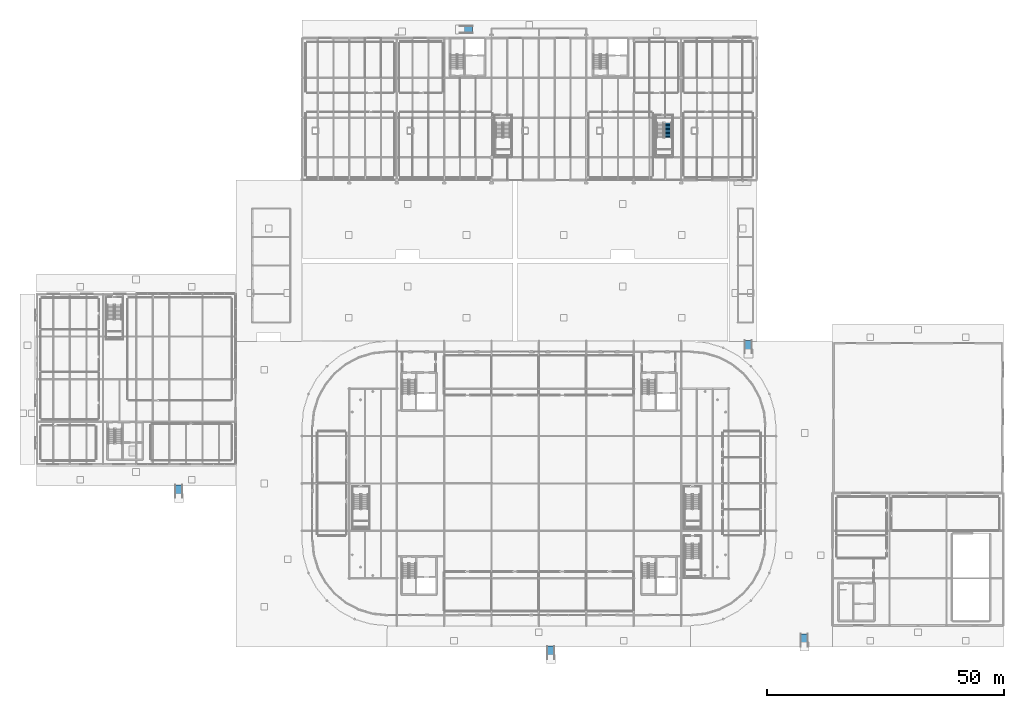
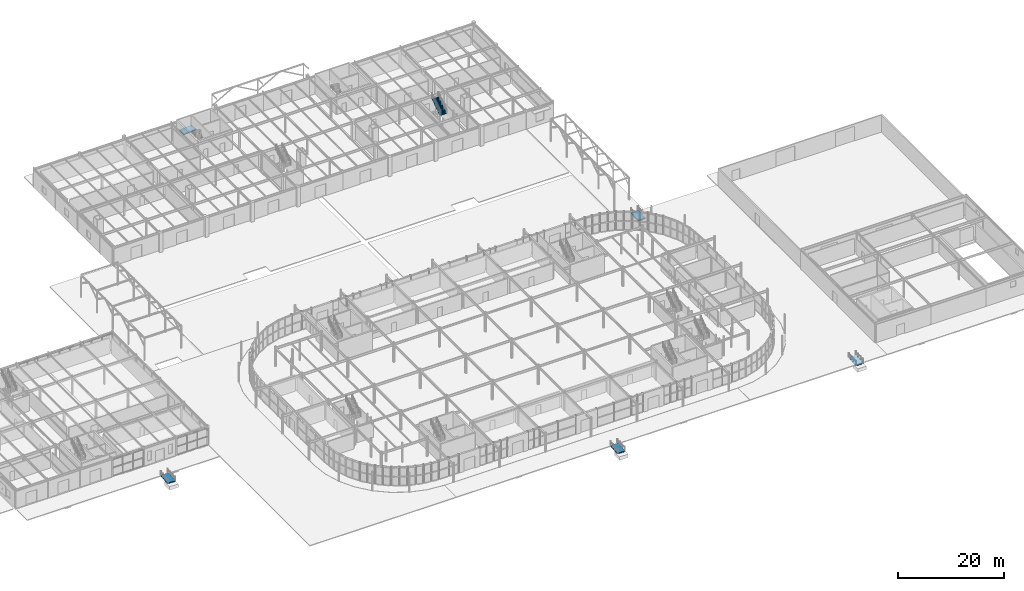
# One storey, part 99 of 119: 5 ramp flights, 1 stair flight, 6 elements without a shape of their own.
"""IFC4 building model written with IfcOpenShell, lengths in metres."""

from ifc_helpers import new_model, si_unit, derived_unit, direction, frame, origin, place, context, subcontext, project, spatial, polyline, outline, extrude, material, layer, layer_set, type_object, element, aggregate, save


model = new_model("IFC4")

# Units and contexts
model_context = context("Model", 3, precision=1e-05, world=origin(), true_north=direction((0.0, 1.0)))
body_context = subcontext(model_context, "Body", "Model", "MODEL_VIEW")
ifc_project = project(units=[si_unit("LENGTHUNIT", "METRE"), si_unit("AREAUNIT", "SQUARE_METRE"), si_unit("VOLUMEUNIT", "CUBIC_METRE"), si_unit("PLANEANGLEUNIT", "RADIAN"), si_unit("MASSUNIT", "GRAM", prefix="KILO"), derived_unit("THERMALTRANSMITTANCEUNIT", [(si_unit("POWERUNIT", "WATT"), 1), (si_unit("LENGTHUNIT", "METRE"), -2), (si_unit("THERMODYNAMICTEMPERATUREUNIT", "KELVIN"), -1)])], contexts=[model_context])

# Site, building, storey
site_placement = place(None, origin())
site = spatial("IfcSite", under=ifc_project, at=site_placement, CompositionType="ELEMENT")
building_placement = place(site_placement, origin())
building = spatial("IfcBuilding", under=site, at=building_placement, Name="Cinnabar Yard Market Hall", CompositionType="ELEMENT")
storey_placement = place(building_placement, origin())
storey = spatial("IfcBuildingStorey", under=building, at=storey_placement, Name="L00", CompositionType="ELEMENT", Elevation=0.0)

# Stair, stair flight
ifc_material_1 = material(Name="Spotted gum timber treads on steel Grade 350 (350 MPa)", Category="steel")
stair_type = type_object("IfcStairType", Name="ST-FEAT", PredefinedType="HALF_TURN_STAIR", material=ifc_material_1)
stair_placement = place(storey_placement, origin())
stair = element("IfcStair", 1, at=stair_placement, inside=storey, type_object=stair_type, Name="L00 Feature Stair ST-F6", PredefinedType="HALF_TURN_STAIR")
stair_flight_type = type_object("IfcStairFlightType", Name="STF-FEAT", PredefinedType="STRAIGHT", material=ifc_material_1)
stair_flight_placement = place(storey_placement, frame((143.235107421875, 116.969970703125, 2.25), z_axis=(0.0, 0.0, 1.0), x_axis=(0.0, 1.0, 0.0)))
stair_flight = element("IfcStairFlight", 2, at=stair_flight_placement, type_object=stair_flight_type, Name="ST-F6 flight 2", NumberOfRisers=12, NumberOfTreads=11, PredefinedType="STRAIGHT", RiserHeight=0.1875, TreadLength=0.28, context=body_context, shape_type="SweptSolid", body=[
    extrude(outline(polyline([(0.0, 0.0), (0.0, 0.1875), (0.280029296875, 0.1875), (0.280029296875, 0.375), (0.56005859375, 0.375), (0.56005859375, 0.5625), (0.840087890625, 0.5625), (0.840087890625, 0.75), (1.1201171875, 0.75), (1.1201171875, 0.9375), (1.39990234375, 0.9375), (1.39990234375, 1.125), (1.679931640625, 1.125), (1.679931640625, 1.3125), (1.9599609375, 1.3125), (1.9599609375, 1.5), (2.239990234375, 1.5), (2.239990234375, 1.6875), (2.52001953125, 1.6875), (2.52001953125, 1.875), (2.800048828125, 1.875), (2.800048828125, 2.0625), (3.080078125, 2.0625), (3.080078125, 2.25), (3.080078125, 1.882080078125), (0.26953125, 0.0), (0.0, 0.0)])), frame((0.0, 0.72509765625, 0.0), z_axis=(0.0, -1.0, 0.0), x_axis=(1.0, 0.0, 0.0)), (0.0, 0.0, 1.0), 1.449951171875),
])
aggregate(stair, [stair_flight])

# Ramp, ramp flight
ifc_material_2 = material(Name="Concrete 40 MPa", Category="concrete")
ramp_type = type_object("IfcRampType", Name="RMP-PED", PredefinedType="STRAIGHT_RUN_RAMP", material=ifc_material_2)
ramp_1_placement = place(storey_placement, origin())
ramp_1 = element("IfcRamp", 3, at=ramp_1_placement, inside=storey, type_object=ramp_type, Name="Northern Entry Step-Free Ramp", PredefinedType="STRAIGHT_RUN_RAMP")
ifc_layer = layer(ifc_material_2, 0.219970703125)
ifc_layer_set = layer_set([ifc_layer], Name="Concrete 40 MPa")
ramp_flight_type = type_object("IfcRampFlightType", Name="RMPF-PED", PredefinedType="STRAIGHT", material=ifc_layer_set)
ramp_flight_1_placement = place(storey_placement, frame((99.300048828125, 139.800048828125, -0.179931640625), z_axis=(0.0, 0.0, 1.0), x_axis=(1.0, 0.0, 0.0)))
ramp_flight_1 = element("IfcRampFlight", 4, at=ramp_flight_1_placement, type_object=ramp_flight_type, Name="Northern Entry Step-Free Ramp Flight", PredefinedType="STRAIGHT", context=body_context, shape_type="SweptSolid", body=[
    extrude(outline(polyline([(0.0, 0.0), (2.699951171875, 0.179931640625), (2.699951171875, -0.0400390625), (0.0, -0.219970703125), (0.0, 0.0)])), frame((0.0, 0.824951171875, 0.0), z_axis=(0.0, -1.0, 0.0), x_axis=(1.0, 0.0, 0.0)), (0.0, 0.0, 1.0), 1.64990234375),
])
aggregate(ramp_1, [ramp_flight_1])

ramp_2_placement = place(storey_placement, origin())
ramp_2 = element("IfcRamp", 5, at=ramp_2_placement, inside=storey, type_object=ramp_type, Name="Southern Plaza Step-Free Ramp", PredefinedType="STRAIGHT_RUN_RAMP")
ramp_flight_2_placement = place(storey_placement, frame((118.5, 6.949951171875, -0.179931640625), z_axis=(0.0, 0.0, 1.0), x_axis=(0.0, 1.0, 0.0)))
ramp_flight_2 = element("IfcRampFlight", 6, at=ramp_flight_2_placement, type_object=ramp_flight_type, Name="Southern Plaza Step-Free Ramp Flight", PredefinedType="STRAIGHT", context=body_context, shape_type="SweptSolid", body=[
    extrude(outline(polyline([(0.0, 0.0), (2.699951171875, 0.179931640625), (2.699951171875, -0.0400390625), (0.0, -0.219970703125), (0.0, 0.0)])), frame((0.0, 0.824951171875, 0.0), z_axis=(0.0, -1.0, 0.0), x_axis=(1.0, 0.0, 0.0)), (0.0, 0.0, 1.0), 1.64990234375),
])
aggregate(ramp_2, [ramp_flight_2])

ramp_3_placement = place(storey_placement, origin())
ramp_3 = element("IfcRamp", 7, at=ramp_3_placement, inside=storey, type_object=ramp_type, Name="Food Court Step-Free Ramp", PredefinedType="STRAIGHT_RUN_RAMP")
ramp_flight_3_placement = place(storey_placement, frame((40.0, 40.949951171875, -0.179931640625), z_axis=(0.0, 0.0, 1.0), x_axis=(0.0, 1.0, 0.0)))
ramp_flight_3 = element("IfcRampFlight", 8, at=ramp_flight_3_placement, type_object=ramp_flight_type, Name="Food Court Step-Free Ramp Flight", PredefinedType="STRAIGHT", context=body_context, shape_type="SweptSolid", body=[
    extrude(outline(polyline([(0.0, 0.0), (2.699951171875, 0.179931640625), (2.699951171875, -0.0400390625), (0.0, -0.219970703125), (0.0, 0.0)])), frame((0.0, 0.824951171875, 0.0), z_axis=(0.0, -1.0, 0.0), x_axis=(1.0, 0.0, 0.0)), (0.0, 0.0, 1.0), 1.64990234375),
])
aggregate(ramp_3, [ramp_flight_3])

ramp_4_placement = place(storey_placement, origin())
ramp_4 = element("IfcRamp", 9, at=ramp_4_placement, inside=storey, type_object=ramp_type, Name="East Passage Step-Free Ramp", PredefinedType="STRAIGHT_RUN_RAMP")
ramp_flight_4_placement = place(storey_placement, frame((160.199951171875, 71.449951171875, -0.179931640625), z_axis=(0.0, 0.0, 1.0), x_axis=(0.0, 1.0, 0.0)))
ramp_flight_4 = element("IfcRampFlight", 10, at=ramp_flight_4_placement, type_object=ramp_flight_type, Name="East Passage Step-Free Ramp Flight", PredefinedType="STRAIGHT", context=body_context, shape_type="SweptSolid", body=[
    extrude(outline(polyline([(0.0, 0.0), (2.699951171875, 0.179931640625), (2.699951171875, -0.0400390625), (0.0, -0.219970703125), (0.0, 0.0)])), frame((0.0, 0.824951171875, 0.0), z_axis=(0.0, -1.0, 0.0), x_axis=(1.0, 0.0, 0.0)), (0.0, 0.0, 1.0), 1.64990234375),
])
aggregate(ramp_4, [ramp_flight_4])

ramp_5_placement = place(storey_placement, origin())
ramp_5 = element("IfcRamp", 11, at=ramp_5_placement, inside=storey, type_object=ramp_type, Name="East Link Step-Free Ramp", PredefinedType="STRAIGHT_RUN_RAMP")
ramp_flight_5_placement = place(storey_placement, frame((172.0, 9.550048828125, -0.179931640625), z_axis=(0.0, 0.0, 1.0), x_axis=(0.0, 1.0, 0.0)))
ramp_flight_5 = element("IfcRampFlight", 12, at=ramp_flight_5_placement, type_object=ramp_flight_type, Name="East Link Step-Free Ramp Flight", PredefinedType="STRAIGHT", context=body_context, shape_type="SweptSolid", body=[
    extrude(outline(polyline([(0.0, 0.0), (2.699951171875, 0.179931640625), (2.699951171875, -0.0400390625), (0.0, -0.219970703125), (0.0, 0.0)])), frame((0.0, 0.824951171875, 0.0), z_axis=(0.0, -1.0, 0.0), x_axis=(1.0, 0.0, 0.0)), (0.0, 0.0, 1.0), 1.64990234375),
])
aggregate(ramp_5, [ramp_flight_5])

save(model, "model.ifc")
